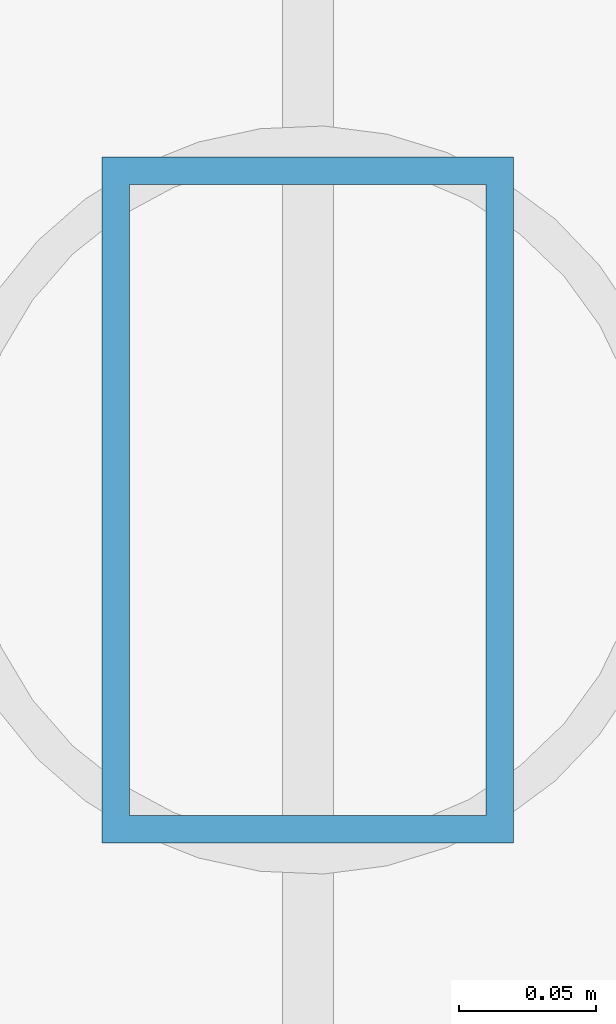
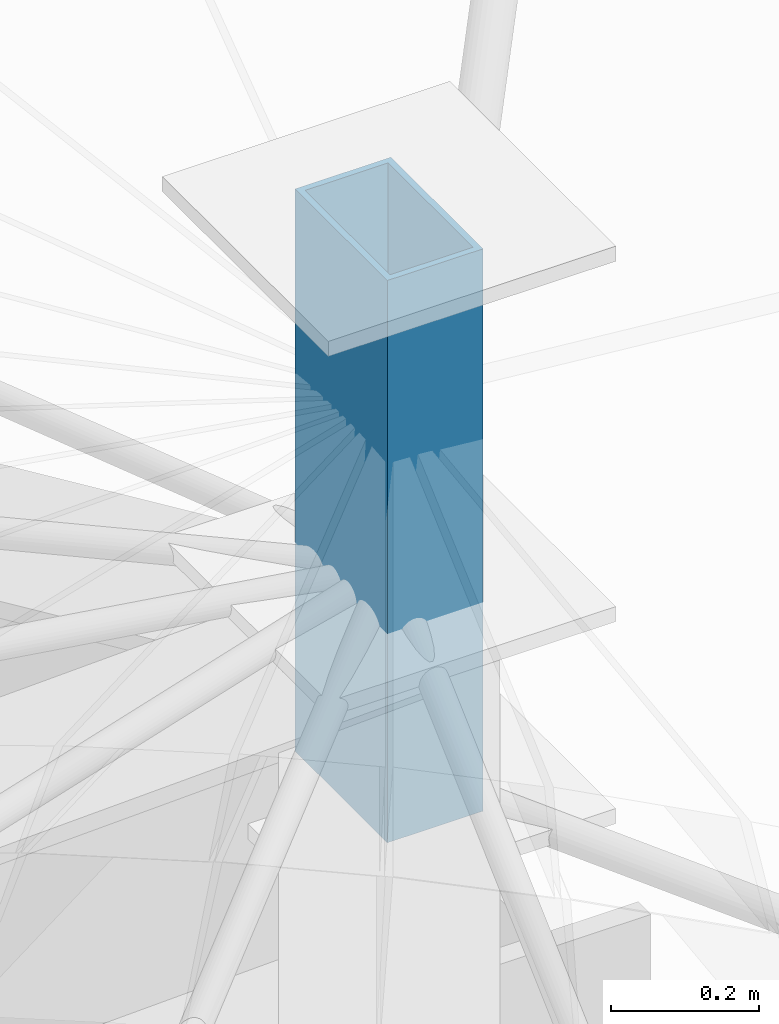
# One storey, part 45 of 68: 1 member.
"""IFC4 building model written with IfcOpenShell, lengths in metres."""

from ifc_helpers import new_model, si_unit, direction, frame, origin, origin_2d, place, context, subcontext, project, spatial, hollow_rectangle, extrude, material, material_profile, profile_set, type_object, element, save


model = new_model("IFC4")

# Units and contexts
model_context = context("Model", 3, precision=1e-05, world=origin(), true_north=direction((0.0, 1.0)))
body_context = subcontext(model_context, "Body", "Model", "MODEL_VIEW")
ifc_project = project(units=[si_unit("LENGTHUNIT", "METRE"), si_unit("AREAUNIT", "SQUARE_METRE"), si_unit("VOLUMEUNIT", "CUBIC_METRE"), si_unit("PLANEANGLEUNIT", "RADIAN"), si_unit("MASSUNIT", "GRAM", prefix="KILO")], contexts=[model_context])

# Site, building, storey
site_placement = place(None, origin())
site = spatial("IfcSite", under=ifc_project, at=site_placement, CompositionType="ELEMENT")
building_placement = place(site_placement, origin())
building = spatial("IfcBuilding", under=site, at=building_placement, Name="Sohan Crest Arena", CompositionType="ELEMENT")
storey_placement = place(building_placement, frame((0.0, 0.0, 27.0)))
storey = spatial("IfcBuildingStorey", under=building, at=storey_placement, Name="RF", CompositionType="ELEMENT", Elevation=27.0)

# Member
ifc_material = material(Name="Steel S355", Category="steel")
ifc_material_profile = material_profile(ifc_material, hollow_rectangle(XDim=0.14990234375, YDim=0.25, WallThickness=0.010009765625, at=origin_2d()), Name="RHS 250x150x10")
ifc_profile_set = profile_set([ifc_material_profile], Name="Steel S355")
member_type = type_object("IfcMemberType", Name="STR-MEM-CH02", PredefinedType="CHORD", material=ifc_profile_set)
member_placement = place(storey_placement, frame((98.0, 78.0, 6.467041015625), z_axis=(0.0, 0.0, 1.0), x_axis=(1.0, 0.0, 0.0)))
element("IfcMember", 1, at=member_placement, inside=storey, type_object=member_type, Name="Crown bearing saddle chord RSP-WC", PredefinedType="CHORD", context=body_context, shape_type="SweptSolid", body=[
    extrude(hollow_rectangle(XDim=0.14990234375, YDim=0.25, WallThickness=0.010009765625, at=origin_2d()), origin(), (0.0, 0.0, 1.0), 0.929931640625),
])

save(model, "model.ifc")
